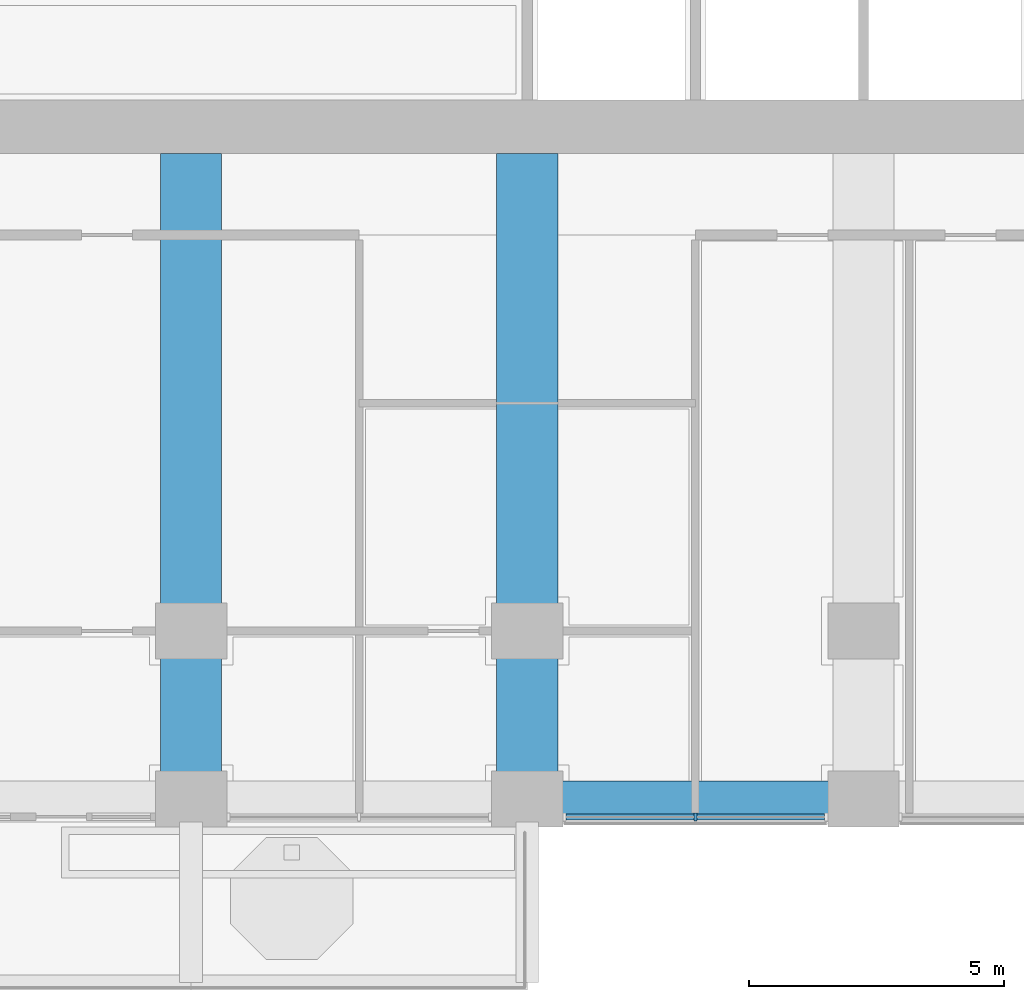
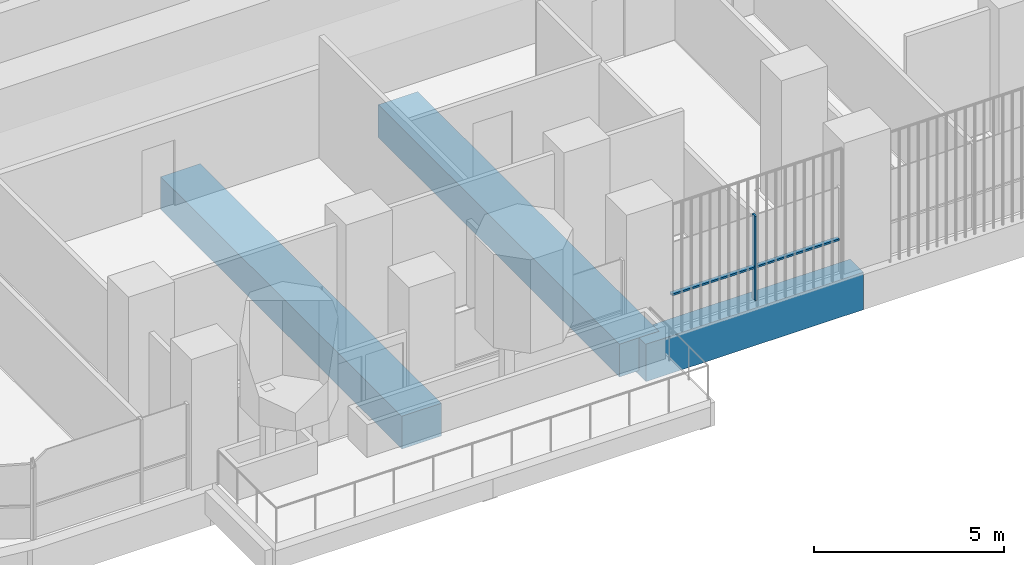
# One storey, part 3 of 21: 3 beams, 3 members, 1 element without a shape of its own.
"""IFC4 building model written with IfcOpenShell, lengths in metres."""

from ifc_helpers import new_model, si_unit, direction, frame, origin, origin_2d, place, context, subcontext, project, spatial, rectangle, extrude, material, material_profile, profile_set, type_object, element, aggregate, save


model = new_model("IFC4")

# Units and contexts
model_context = context("Model", 3, precision=1e-05, world=origin(), true_north=direction((0.0, 1.0)))
body_context = subcontext(model_context, "Body", "Model", "MODEL_VIEW")
ifc_project = project(units=[si_unit("LENGTHUNIT", "METRE"), si_unit("AREAUNIT", "SQUARE_METRE"), si_unit("VOLUMEUNIT", "CUBIC_METRE"), si_unit("PLANEANGLEUNIT", "RADIAN"), si_unit("MASSUNIT", "GRAM", prefix="KILO")], contexts=[model_context])

# Site, building, storey
site_placement = place(None, origin())
site = spatial("IfcSite", under=ifc_project, at=site_placement, CompositionType="ELEMENT")
building_placement = place(site_placement, origin())
building = spatial("IfcBuilding", under=site, at=building_placement, Name="Cobogo Forest Laboratory Tower", CompositionType="ELEMENT")
storey_placement = place(building_placement, frame((0.0, 0.0, 115.800048828125)))
storey = spatial("IfcBuildingStorey", under=building, at=storey_placement, Name="L26", CompositionType="ELEMENT", Elevation=115.800048828125)

# Beams
ifc_material_1 = material(Name="Concrete HA-40 (C40/50)", Category="concrete")
ifc_material_profile_1 = material_profile(ifc_material_1, rectangle(XDim=1.199951171875, YDim=1.050048828125, at=origin_2d()), Name="RC 1200x1050")
ifc_profile_set_1 = profile_set([ifc_material_profile_1], Name="Concrete HA-40 (C40/50)")
beam_type_1 = type_object("IfcBeamType", Name="Laboratory floor wide beam 1200x1050", PredefinedType="BEAM", material=ifc_profile_set_1)
for number, where, z_axis, x_axis, name in (
    (1, (19.800048828125, 12.675048828125, -0.824951171875), (0.0, -1.0, 0.0), (1.0, 0.0, 0.0), "RB1 R-4-S L26"),
    (2, (26.39990234375, 12.675048828125, -0.824951171875), (0.0, -1.0, 0.0), (1.0, 0.0, 0.0), "RB1 R-5-S L26"),
):
    element("IfcBeam", number, at=place(storey_placement, frame(where, z_axis=z_axis, x_axis=x_axis)), inside=storey, type_object=beam_type_1, Name=name, PredefinedType="BEAM", context=body_context, shape_type="SweptSolid", body=[
        extrude(rectangle(XDim=1.199951171875, YDim=1.050048828125, at=origin_2d()), origin(), (0.0, 0.0, 1.0), 12.675048828125),
    ])

# Curtain wall, member
ifc_material_2 = material(Name="Aluminium curtain wall", Category="aluminium")
curtain_wall_type = type_object("IfcCurtainWallType", Name="CW-1 unitised curtain wall, clear glazing, laboratory floors zones A and B", PredefinedType="USERDEFINED", material=ifc_material_2)
curtain_wall_placement = place(storey_placement, origin())
curtain_wall = element("IfcCurtainWall", 3, at=curtain_wall_placement, inside=storey, type_object=curtain_wall_type, Name="Curtain wall 04 L26", ObjectType="UNITISED CURTAIN WALL", PredefinedType="USERDEFINED")
ifc_material_3 = material(Name="Aluminium mullion", Category="aluminium")
ifc_material_profile_2 = material_profile(ifc_material_3, rectangle(XDim=0.06005859375, YDim=0.159912109375, at=origin_2d()), Name="AL 60x160")
ifc_profile_set_2 = profile_set([ifc_material_profile_2], Name="Aluminium mullion")
member_type_1 = type_object("IfcMemberType", Name="MU-1 aluminium mullion 60x160", PredefinedType="MULLION", material=ifc_profile_set_2)
member_1_placement = place(storey_placement, frame((29.699951171875, -0.35009765625, 0.0), z_axis=(0.0, 0.0, 1.0), x_axis=(1.0, 0.0, 0.0)))
member_1 = element("IfcMember", 4, at=member_1_placement, type_object=member_type_1, Name="CW-1 mullion 2", PredefinedType="MULLION", context=body_context, shape_type="SweptSolid", body=[
    extrude(rectangle(XDim=0.06005859375, YDim=0.159912109375, at=origin_2d()), origin(), (0.0, 0.0, 1.0), 2.699951171875),
])

# Beam
ifc_material_profile_3 = material_profile(ifc_material_1, rectangle(XDim=0.699951171875, YDim=1.199951171875, at=origin_2d()), Name="RC 700x1200")
ifc_profile_set_3 = profile_set([ifc_material_profile_3], Name="Concrete HA-40 (C40/50)")
beam_type_2 = type_object("IfcBeamType", Name="Perimeter edge beam 700x1200", PredefinedType="BEAM", material=ifc_profile_set_3)
beam_placement = place(storey_placement, frame((26.39990234375, 0.0, -0.900146484375), z_axis=(1.0, 0.0, 0.0), x_axis=(0.0, 1.0, 0.0)))
element("IfcBeam", 5, at=beam_placement, inside=storey, type_object=beam_type_2, Name="EB1 E-S3 L26", PredefinedType="BEAM", context=body_context, shape_type="SweptSolid", body=[
    extrude(rectangle(XDim=0.699951171875, YDim=1.199951171875, at=origin_2d()), origin(), (0.0, 0.0, 1.0), 6.60009765625),
])

# Member
ifc_material_4 = material(Name="Aluminium transom", Category="aluminium")
ifc_material_profile_4 = material_profile(ifc_material_4, rectangle(XDim=0.1201171875, YDim=0.06005859375, at=origin_2d()), Name="AL 60x120")
ifc_profile_set_4 = profile_set([ifc_material_profile_4], Name="Aluminium transom")
member_type_2 = type_object("IfcMemberType", Name="TR-1 aluminium transom 60x120", PredefinedType="USERDEFINED", material=ifc_profile_set_4)
member_2_placement = place(storey_placement, frame((27.159912109375, -0.35009765625, 1.050048828125), z_axis=(1.0, 0.0, 0.0), x_axis=(0.0, 1.0, 0.0)))
member_2 = element("IfcMember", 6, at=member_2_placement, type_object=member_type_2, Name="CW-1 transom 1.1", ObjectType="TRANSOM", PredefinedType="USERDEFINED", context=body_context, shape_type="SweptSolid", body=[
    extrude(rectangle(XDim=0.1201171875, YDim=0.06005859375, at=origin_2d()), origin(), (0.0, 0.0, 1.0), 2.510009765625),
])

member_3_placement = place(storey_placement, frame((29.72998046875, -0.35009765625, 1.050048828125), z_axis=(1.0, 0.0, 0.0), x_axis=(0.0, 1.0, 0.0)))
member_3 = element("IfcMember", 7, at=member_3_placement, type_object=member_type_2, Name="CW-1 transom 2.1", ObjectType="TRANSOM", PredefinedType="USERDEFINED", context=body_context, shape_type="SweptSolid", body=[
    extrude(rectangle(XDim=0.1201171875, YDim=0.06005859375, at=origin_2d()), origin(), (0.0, 0.0, 1.0), 2.510009765625),
])

aggregate(curtain_wall, [member_1, member_2, member_3])

save(model, "model.ifc")
